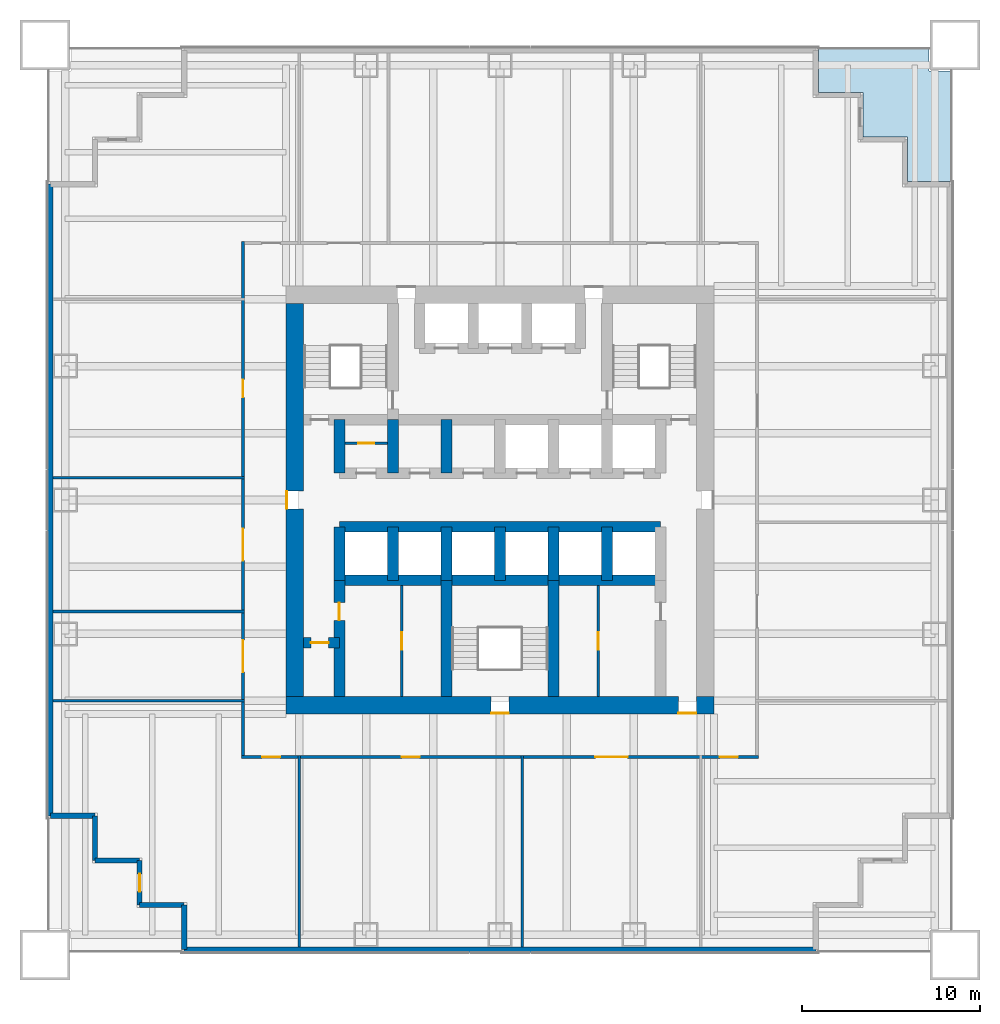
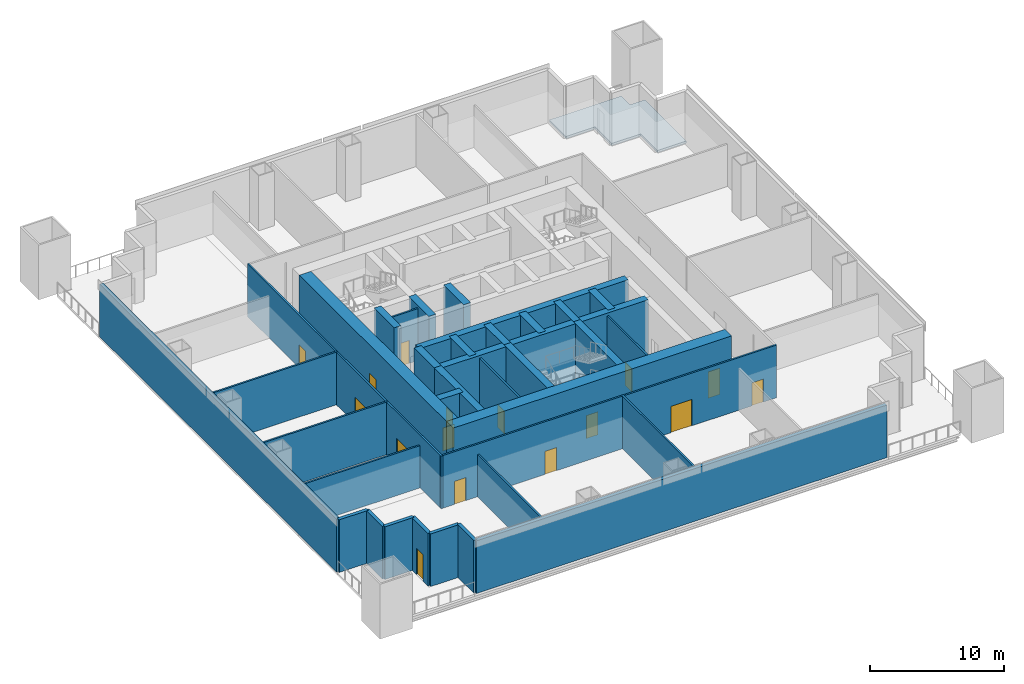
# One storey, part 2 of 6: 35 walls, 16 doors, 1 slab, 16 openings.
"""IFC4 building model written with IfcOpenShell, lengths in metres."""

from ifc_helpers import new_model, si_unit, direction, frame, frame_2d, origin, place, context, subcontext, project, spatial, polyline, rectangle, outline, extrude, material, layer, layer_set, type_object, element, fill, save


model = new_model("IFC4")

# Units and contexts
model_context = context("Model", 3, precision=1e-05, world=origin(), true_north=direction((0.0, 1.0)))
body_context = subcontext(model_context, "Body", "Model", "MODEL_VIEW")
ifc_project = project(units=[si_unit("LENGTHUNIT", "METRE"), si_unit("AREAUNIT", "SQUARE_METRE"), si_unit("VOLUMEUNIT", "CUBIC_METRE"), si_unit("PLANEANGLEUNIT", "RADIAN"), si_unit("MASSUNIT", "GRAM", prefix="KILO")], contexts=[model_context])

# Site, building, storey
site_placement = place(None, origin())
site = spatial("IfcSite", under=ifc_project, at=site_placement, CompositionType="ELEMENT")
building_placement = place(site_placement, origin())
building = spatial("IfcBuilding", under=site, at=building_placement, Name="Tarangal Relay Tower", CompositionType="ELEMENT")
storey_placement = place(building_placement, frame((0.0, 0.0, 73.39990234375)))
storey = spatial("IfcBuildingStorey", under=building, at=storey_placement, Name="L14", CompositionType="ELEMENT", Elevation=73.39990234375)

# Slab
ifc_material_1 = material(Name="Concrete fc' 35 MPa", Category="concrete")
ifc_layer_1 = layer(ifc_material_1, 0.199951171875)
ifc_layer_set_1 = layer_set([ifc_layer_1], Name="Terrace slab 200")
slab_type = type_object("IfcSlabType", Name="Terrace slab 200", PredefinedType="FLOOR", material=ifc_layer_set_1)
slab_placement = place(storey_placement, frame((0.0, 0.0, -0.199951171875)))
element("IfcSlab", 1, at=slab_placement, inside=storey, type_object=slab_type, Name="Corner terrace NE L14", PredefinedType="FLOOR", context=body_context, shape_type="SweptSolid", body=[
    extrude(outline(polyline([(17.85009765625, 25.35009765625), (17.85009765625, 22.85009765625), (20.35009765625, 22.85009765625), (20.35009765625, 20.35009765625), (22.85009765625, 20.35009765625), (22.85009765625, 17.85009765625), (25.35009765625, 17.85009765625), (25.35009765625, 24.050048828125), (24.050048828125, 24.050048828125), (24.050048828125, 25.35009765625), (17.85009765625, 25.35009765625)])), origin(), (0.0, 0.0, 1.0), 0.199951171875),
])

# Walls
ifc_material_2 = material(Name="Concrete fc' 60 MPa", Category="concrete")
ifc_layer_2 = layer(ifc_material_2, 0.60009765625)
ifc_layer_set_2 = layer_set([ifc_layer_2], Name="Core inner wall 600")
wall_type_1 = type_object("IfcWallType", Name="Core inner wall 600", PredefinedType="SHEAR", material=ifc_layer_set_2)
for number, where, z_axis, x_axis, name in (
    (2, (-9.0, -1.5, 0.0), (0.0, 0.0, 1.0), (1.0, 0.0, 0.0), "Core wall YM15 L14"),
    (3, (-9.0, -4.5, 0.0), (0.0, 0.0, 1.0), (1.0, 0.0, 0.0), "Core wall YM45 L14"),
):
    element("IfcWall", number, at=place(storey_placement, frame(where, z_axis=z_axis, x_axis=x_axis)), inside=storey, type_object=wall_type_1, Name=name, PredefinedType="SHEAR", context=body_context, shape_type="SweptSolid", body=[
        extrude(rectangle(XDim=18.0, YDim=0.60009765625, at=frame_2d((9.0, 0.0))), origin(), (0.0, 0.0, 1.0), 5.0),
    ])

# Wall, opening, door
wall_1_placement = place(storey_placement, frame((-11.0, -8.0, 0.0), z_axis=(0.0, 0.0, 1.0), x_axis=(1.0, 0.0, 0.0)))
wall_1 = element("IfcWall", 4, at=wall_1_placement, inside=storey, type_object=wall_type_1, Name="Core wall YM8 L14", PredefinedType="SHEAR", context=body_context, shape_type="SweptSolid", body=[
    extrude(rectangle(XDim=2.0, YDim=0.60009765625, at=frame_2d((1.0, 0.0))), origin(), (0.0, 0.0, 1.0), 5.0),
])
opening_1_placement = place(wall_1_placement, frame((0.39990234375, 0.0, 0.0)))
opening_1 = element("IfcOpeningElement", 5, at=opening_1_placement, cuts=wall_1, Name="Opening D1", PredefinedType="OPENING", context=body_context, shape_type="SweptSolid", body=[
    extrude(rectangle(XDim=1.0, YDim=2.10009765625, at=frame_2d((0.5, 1.050048828125))), frame((0.0, 0.31005859375, 0.0), z_axis=(0.0, -1.0, 0.0), x_axis=(1.0, 0.0, 0.0)), (0.0, 0.0, 1.0), 0.6201171875),
])
ifc_material_3 = material(Name="Hardwood door", Category="wood")
door_type_1 = type_object("IfcDoorType", Name="WC door 1000 x 2100", OperationType="SINGLE_SWING_LEFT", PredefinedType="DOOR", material=ifc_material_3)
door_1_placement = place(opening_1_placement, origin())
door_1 = element("IfcDoor", 6, at=door_1_placement, inside=storey, type_object=door_type_1, Name="Accessible WC door L14", OperationType="SINGLE_SWING_LEFT", OverallHeight=2.10009765625, OverallWidth=1.0, PredefinedType="DOOR", context=body_context, shape_type="SweptSolid", body=[
    extrude(rectangle(XDim=1.0, YDim=2.10009765625, at=frame_2d((0.5, 1.050048828125))), frame((0.0, 0.02490234375, 0.0), z_axis=(0.0, -1.0, 0.0), x_axis=(1.0, 0.0, 0.0)), (0.0, 0.0, 1.0), 0.050048828125),
])
fill(opening_1, door_1)

# Walls
for number, where, z_axis, x_axis, name in (
    (7, (-9.0, 1.5, 0.0), (0.0, 0.0, 1.0), (0.0, 1.0, 0.0), "Core wall XM9N L14"),
    (8, (-9.0, -4.5, 0.0), (0.0, 0.0, 1.0), (0.0, 1.0, 0.0), "Core wall XM9S L14"),
    (9, (-6.0, 1.5, 0.0), (0.0, 0.0, 1.0), (0.0, 1.0, 0.0), "Core wall XM6N L14"),
    (10, (-3.0, 1.5, 0.0), (0.0, 0.0, 1.0), (0.0, 1.0, 0.0), "Core wall XM3N L14"),
    (11, (-6.0, -4.5, 0.0), (0.0, 0.0, 1.0), (0.0, 1.0, 0.0), "Core wall XM6S L14"),
    (12, (-3.0, -4.5, 0.0), (0.0, 0.0, 1.0), (0.0, 1.0, 0.0), "Core wall XM3S L14"),
    (13, (0.0, -4.5, 0.0), (0.0, 0.0, 1.0), (0.0, 1.0, 0.0), "Core wall X0S L14"),
    (14, (3.0, -4.5, 0.0), (0.0, 0.0, 1.0), (0.0, 1.0, 0.0), "Core wall X3S L14"),
    (15, (6.0, -4.5, 0.0), (0.0, 0.0, 1.0), (0.0, 1.0, 0.0), "Core wall X6S L14"),
):
    element("IfcWall", number, at=place(storey_placement, frame(where, z_axis=z_axis, x_axis=x_axis)), inside=storey, type_object=wall_type_1, Name=name, PredefinedType="SHEAR", context=body_context, shape_type="SweptSolid", body=[
        extrude(rectangle(XDim=3.0, YDim=0.60009765625, at=frame_2d((1.5, 0.0))), origin(), (0.0, 0.0, 1.0), 5.0),
    ])

# Wall, opening, door
wall_2_placement = place(storey_placement, frame((-9.0, -11.0, 0.0), z_axis=(0.0, 0.0, 1.0), x_axis=(0.0, 1.0, 0.0)))
wall_2 = element("IfcWall", 16, at=wall_2_placement, inside=storey, type_object=wall_type_1, Name="Core wall XM9W L14", PredefinedType="SHEAR", context=body_context, shape_type="SweptSolid", body=[
    extrude(rectangle(XDim=6.5, YDim=0.60009765625, at=frame_2d((3.25, 0.0))), origin(), (0.0, 0.0, 1.0), 5.0),
])
opening_2_placement = place(wall_2_placement, frame((4.25, 0.0, 0.0)))
opening_2 = element("IfcOpeningElement", 17, at=opening_2_placement, cuts=wall_2, Name="Opening D1", PredefinedType="OPENING", context=body_context, shape_type="SweptSolid", body=[
    extrude(rectangle(XDim=1.0, YDim=2.10009765625, at=frame_2d((0.5, 1.050048828125))), frame((0.0, 0.31005859375, 0.0), z_axis=(0.0, -1.0, 0.0), x_axis=(1.0, 0.0, 0.0)), (0.0, 0.0, 1.0), 0.6201171875),
])
door_2_placement = place(opening_2_placement, origin())
door_2 = element("IfcDoor", 18, at=door_2_placement, inside=storey, type_object=door_type_1, Name="Male WC door L14", OperationType="SINGLE_SWING_LEFT", OverallHeight=2.10009765625, OverallWidth=1.0, PredefinedType="DOOR", context=body_context, shape_type="SweptSolid", body=[
    extrude(rectangle(XDim=1.0, YDim=2.10009765625, at=frame_2d((0.5, 1.050048828125))), frame((0.0, 0.02490234375, 0.0), z_axis=(0.0, -1.0, 0.0), x_axis=(1.0, 0.0, 0.0)), (0.0, 0.0, 1.0), 0.050048828125),
])
fill(opening_2, door_2)

# Walls
for number, where, z_axis, x_axis, name in (
    (19, (-3.0, -11.0, 0.0), (0.0, 0.0, 1.0), (0.0, 1.0, 0.0), "Core wall XM3W L14"),
    (20, (3.0, -11.0, 0.0), (0.0, 0.0, 1.0), (0.0, 1.0, 0.0), "Core wall X3W L14"),
):
    element("IfcWall", number, at=place(storey_placement, frame(where, z_axis=z_axis, x_axis=x_axis)), inside=storey, type_object=wall_type_1, Name=name, PredefinedType="SHEAR", context=body_context, shape_type="SweptSolid", body=[
        extrude(rectangle(XDim=6.5, YDim=0.60009765625, at=frame_2d((3.25, 0.0))), origin(), (0.0, 0.0, 1.0), 5.0),
    ])

# Wall, openings, doors
ifc_layer_3 = layer(ifc_material_2, 1.0)
ifc_layer_set_3 = layer_set([ifc_layer_3], Name="Core wall 1000")
wall_type_2 = type_object("IfcWallType", Name="Core wall 1000", PredefinedType="SHEAR", material=ifc_layer_set_3)
wall_3_placement = place(storey_placement, frame((12.0, -11.5, 0.0), z_axis=(0.0, 0.0, 1.0), x_axis=(-1.0, 0.0, 0.0)))
wall_3 = element("IfcWall", 21, at=wall_3_placement, inside=storey, type_object=wall_type_2, Name="Core wall S L14", PredefinedType="SHEAR", context=body_context, shape_type="SweptSolid", body=[
    extrude(rectangle(XDim=24.0, YDim=1.0, at=frame_2d((12.0, 0.0))), origin(), (0.0, 0.0, 1.0), 5.0),
])
opening_3_placement = place(wall_3_placement, frame((11.5, 0.0, 0.0)))
opening_3 = element("IfcOpeningElement", 22, at=opening_3_placement, cuts=wall_3, Name="Opening FD1", PredefinedType="OPENING", context=body_context, shape_type="SweptSolid", body=[
    extrude(rectangle(XDim=1.0, YDim=2.10009765625, at=frame_2d((0.5, 1.050048828125))), frame((0.0, 0.510009765625, 0.0), z_axis=(0.0, -1.0, 0.0), x_axis=(1.0, 0.0, 0.0)), (0.0, 0.0, 1.0), 1.02001953125),
])
opening_4_placement = place(wall_3_placement, frame((1.0, 0.0, 0.0)))
opening_4 = element("IfcOpeningElement", 23, at=opening_4_placement, cuts=wall_3, Name="Opening FD3", PredefinedType="OPENING", context=body_context, shape_type="SweptSolid", body=[
    extrude(rectangle(XDim=1.0, YDim=2.39990234375, at=frame_2d((0.5, 1.199951171875))), frame((0.0, 0.510009765625, 0.0), z_axis=(0.0, -1.0, 0.0), x_axis=(1.0, 0.0, 0.0)), (0.0, 0.0, 1.0), 1.02001953125),
])
ifc_material_4 = material(Name="Steel door with hardwood frame", Category="steel")
door_type_2 = type_object("IfcDoorType", Name="Fire door 1000 x 2100", OperationType="SINGLE_SWING_LEFT", PredefinedType="DOOR", material=ifc_material_4)
door_3_placement = place(opening_3_placement, origin())
door_3 = element("IfcDoor", 24, at=door_3_placement, inside=storey, type_object=door_type_2, Name="Stair ST-C door L14", OperationType="SINGLE_SWING_LEFT", OverallHeight=2.10009765625, OverallWidth=1.0, PredefinedType="DOOR", context=body_context, shape_type="SweptSolid", body=[
    extrude(rectangle(XDim=1.0, YDim=2.10009765625, at=frame_2d((0.5, 1.050048828125))), frame((0.0, 0.48486328125, 0.0), z_axis=(0.0, -1.0, 0.0), x_axis=(1.0, 0.0, 0.0)), (0.0, 0.0, 1.0), 0.050048828125),
])
fill(opening_3, door_3)
door_type_3 = type_object("IfcDoorType", Name="Fire door 1000 x 2400 core entry", OperationType="SINGLE_SWING_RIGHT", PredefinedType="DOOR", material=ifc_material_4)
door_4_placement = place(opening_4_placement, origin())
door_4 = element("IfcDoor", 25, at=door_4_placement, inside=storey, type_object=door_type_3, Name="Core entry door south east L14", OperationType="SINGLE_SWING_RIGHT", OverallHeight=2.39990234375, OverallWidth=1.0, PredefinedType="DOOR", context=body_context, shape_type="SweptSolid", body=[
    extrude(rectangle(XDim=1.0, YDim=2.39990234375, at=frame_2d((0.5, 1.199951171875))), frame((0.0, 0.48486328125, 0.0), z_axis=(0.0, -1.0, 0.0), x_axis=(1.0, 0.0, 0.0)), (0.0, 0.0, 1.0), 0.050048828125),
])
fill(opening_4, door_4)

# Wall, opening, door
wall_4_placement = place(storey_placement, frame((-11.5, -11.0, 0.0), z_axis=(0.0, 0.0, 1.0), x_axis=(0.0, 1.0, 0.0)))
wall_4 = element("IfcWall", 26, at=wall_4_placement, inside=storey, type_object=wall_type_2, Name="Core wall W L14", PredefinedType="SHEAR", context=body_context, shape_type="SweptSolid", body=[
    extrude(rectangle(XDim=22.0, YDim=1.0, at=frame_2d((11.0, 0.0))), origin(), (0.0, 0.0, 1.0), 5.0),
])
opening_5_placement = place(wall_4_placement, frame((10.5, 0.0, 0.0)))
opening_5 = element("IfcOpeningElement", 27, at=opening_5_placement, cuts=wall_4, Name="Opening FD3", PredefinedType="OPENING", context=body_context, shape_type="SweptSolid", body=[
    extrude(rectangle(XDim=1.0, YDim=2.39990234375, at=frame_2d((0.5, 1.199951171875))), frame((0.0, 0.510009765625, 0.0), z_axis=(0.0, -1.0, 0.0), x_axis=(1.0, 0.0, 0.0)), (0.0, 0.0, 1.0), 1.02001953125),
])
door_5_placement = place(opening_5_placement, origin())
door_5 = element("IfcDoor", 28, at=door_5_placement, inside=storey, type_object=door_type_3, Name="Core entry door west L14", OperationType="SINGLE_SWING_RIGHT", OverallHeight=2.39990234375, OverallWidth=1.0, PredefinedType="DOOR", context=body_context, shape_type="SweptSolid", body=[
    extrude(rectangle(XDim=1.0, YDim=2.39990234375, at=frame_2d((0.5, 1.199951171875))), frame((0.0, 0.48486328125, 0.0), z_axis=(0.0, -1.0, 0.0), x_axis=(1.0, 0.0, 0.0)), (0.0, 0.0, 1.0), 0.050048828125),
])
fill(opening_5, door_5)

# Walls
ifc_material_5 = material(Name="Insulated precast concrete fc' 40 MPa", Category="concrete")
ifc_layer_4 = layer(ifc_material_5, 0.300048828125)
ifc_layer_set_4 = layer_set([ifc_layer_4], Name="Insulated precast concrete fc' 40 MPa")
wall_type_3 = type_object("IfcWallType", Name="Facade wall precast 300", PredefinedType="SOLIDWALL", material=ifc_layer_set_4)
wall_5_placement = place(storey_placement, frame((17.699951171875, -25.199951171875, 0.0), z_axis=(0.0, 0.0, 1.0), x_axis=(-1.0, 0.0, 0.0)))
element("IfcWall", 29, at=wall_5_placement, inside=storey, type_object=wall_type_3, Name="Facade wall S facade L14", PredefinedType="SOLIDWALL", context=body_context, shape_type="SweptSolid", body=[
    extrude(rectangle(XDim=35.39990234375, YDim=0.300048828125, at=frame_2d((17.699951171875, 0.0))), origin(), (0.0, 0.0, 1.0), 4.800048828125),
])
for number, where, z_axis, x_axis, name in (
    (30, (-17.699951171875, -25.199951171875, 0.0), (0.0, 0.0, 1.0), (0.0, 1.0, 0.0), "Facade wall S facade L14"),
    (31, (-17.699951171875, -22.699951171875, 0.0), (0.0, 0.0, 1.0), (-1.0, 0.0, 0.0), "Facade wall S facade L14"),
):
    element("IfcWall", number, at=place(storey_placement, frame(where, z_axis=z_axis, x_axis=x_axis)), inside=storey, type_object=wall_type_3, Name=name, PredefinedType="SOLIDWALL", context=body_context, shape_type="SweptSolid", body=[
        extrude(rectangle(XDim=2.5, YDim=0.300048828125, at=frame_2d((1.25, 0.0))), origin(), (0.0, 0.0, 1.0), 4.800048828125),
    ])

# Wall, opening, door
wall_6_placement = place(storey_placement, frame((-20.199951171875, -22.699951171875, 0.0), z_axis=(0.0, 0.0, 1.0), x_axis=(0.0, 1.0, 0.0)))
wall_6 = element("IfcWall", 32, at=wall_6_placement, inside=storey, type_object=wall_type_3, Name="Facade wall S facade L14", PredefinedType="SOLIDWALL", context=body_context, shape_type="SweptSolid", body=[
    extrude(rectangle(XDim=2.5, YDim=0.300048828125, at=frame_2d((1.25, 0.0))), origin(), (0.0, 0.0, 1.0), 4.800048828125),
])
opening_6_placement = place(wall_6_placement, frame((0.75, 0.0, 0.0)))
opening_6 = element("IfcOpeningElement", 33, at=opening_6_placement, cuts=wall_6, Name="Opening TD1", PredefinedType="OPENING", context=body_context, shape_type="SweptSolid", body=[
    extrude(rectangle(XDim=1.0, YDim=2.39990234375, at=frame_2d((0.5, 1.199951171875))), frame((0.0, 0.159912109375, 0.0), z_axis=(0.0, -1.0, 0.0), x_axis=(1.0, 0.0, 0.0)), (0.0, 0.0, 1.0), 0.320068359375),
])
ifc_material_6 = material(Name="Aluminium glazed door", Category="aluminium")
door_type_4 = type_object("IfcDoorType", Name="Terrace door 1000 x 2400", OperationType="SINGLE_SWING_RIGHT", PredefinedType="DOOR", material=ifc_material_6)
door_6_placement = place(opening_6_placement, origin())
door_6 = element("IfcDoor", 34, at=door_6_placement, inside=storey, type_object=door_type_4, Name="Terrace door TD1 SW L14", OperationType="SINGLE_SWING_RIGHT", OverallHeight=2.39990234375, OverallWidth=1.0, PredefinedType="DOOR", context=body_context, shape_type="SweptSolid", body=[
    extrude(rectangle(XDim=1.0, YDim=2.39990234375, at=frame_2d((0.5, 1.199951171875))), frame((0.0, 0.02490234375, 0.0), z_axis=(0.0, -1.0, 0.0), x_axis=(1.0, 0.0, 0.0)), (0.0, 0.0, 1.0), 0.050048828125),
])
fill(opening_6, door_6)

# Walls
for number, where, z_axis, x_axis, name in (
    (35, (-20.199951171875, -20.199951171875, 0.0), (0.0, 0.0, 1.0), (-1.0, 0.0, 0.0), "Facade wall S facade L14"),
    (36, (-22.699951171875, -20.199951171875, 0.0), (0.0, 0.0, 1.0), (0.0, 1.0, 0.0), "Facade wall S facade L14"),
    (37, (-22.699951171875, -17.699951171875, 0.0), (0.0, 0.0, 1.0), (-1.0, 0.0, 0.0), "Facade wall S facade L14"),
):
    element("IfcWall", number, at=place(storey_placement, frame(where, z_axis=z_axis, x_axis=x_axis)), inside=storey, type_object=wall_type_3, Name=name, PredefinedType="SOLIDWALL", context=body_context, shape_type="SweptSolid", body=[
        extrude(rectangle(XDim=2.5, YDim=0.300048828125, at=frame_2d((1.25, 0.0))), origin(), (0.0, 0.0, 1.0), 4.800048828125),
    ])
wall_7_placement = place(storey_placement, frame((-25.199951171875, -17.699951171875, 0.0), z_axis=(0.0, 0.0, 1.0), x_axis=(0.0, 1.0, 0.0)))
element("IfcWall", 38, at=wall_7_placement, inside=storey, type_object=wall_type_3, Name="Facade wall W facade L14", PredefinedType="SOLIDWALL", context=body_context, shape_type="SweptSolid", body=[
    extrude(rectangle(XDim=35.39990234375, YDim=0.300048828125, at=frame_2d((17.699951171875, 0.0))), origin(), (0.0, 0.0, 1.0), 4.800048828125),
])

# Wall, openings, doors
ifc_material_7 = material(Name="Gypsum board on steel studs", Category="steel")
ifc_layer_5 = layer(ifc_material_7, 0.14990234375)
ifc_layer_set_5 = layer_set([ifc_layer_5], Name="Partition 150")
wall_type_4 = type_object("IfcWallType", Name="Partition 150", PredefinedType="PARTITIONING", material=ifc_layer_set_5)
wall_8_placement = place(storey_placement, frame((-14.47509765625, -14.39990234375, 0.0), z_axis=(0.0, 0.0, 1.0), x_axis=(1.0, 0.0, 0.0)))
wall_8 = element("IfcWall", 39, at=wall_8_placement, inside=storey, type_object=wall_type_4, Name="Partition PT1 L14", PredefinedType="PARTITIONING", context=body_context, shape_type="SweptSolid", body=[
    extrude(rectangle(XDim=28.9501953125, YDim=0.14990234375, at=frame_2d((14.47509765625, 0.0))), origin(), (0.0, 0.0, 1.0), 4.800048828125),
])
opening_7_placement = place(wall_8_placement, frame((19.824951171875, 0.0, 0.0)))
opening_7 = element("IfcOpeningElement", 40, at=opening_7_placement, cuts=wall_8, Name="Opening DD1", PredefinedType="OPENING", context=body_context, shape_type="SweptSolid", body=[
    extrude(rectangle(XDim=1.800048828125, YDim=2.39990234375, at=frame_2d((0.89990234375, 1.199951171875))), frame((0.0, 0.0849609375, 0.0), z_axis=(0.0, -1.0, 0.0), x_axis=(1.0, 0.0, 0.0)), (0.0, 0.0, 1.0), 0.169921875),
])
opening_8_placement = place(wall_8_placement, frame((8.97509765625, 0.0, 0.0)))
opening_8 = element("IfcOpeningElement", 41, at=opening_8_placement, cuts=wall_8, Name="Opening D2", PredefinedType="OPENING", context=body_context, shape_type="SweptSolid", body=[
    extrude(rectangle(XDim=1.0, YDim=2.10009765625, at=frame_2d((0.5, 1.050048828125))), frame((0.0, 0.0849609375, 0.0), z_axis=(0.0, -1.0, 0.0), x_axis=(1.0, 0.0, 0.0)), (0.0, 0.0, 1.0), 0.169921875),
])
opening_9_placement = place(wall_8_placement, frame((26.800048828125, 0.0, 0.0)))
opening_9 = element("IfcOpeningElement", 42, at=opening_9_placement, cuts=wall_8, Name="Opening D2", PredefinedType="OPENING", context=body_context, shape_type="SweptSolid", body=[
    extrude(rectangle(XDim=1.0, YDim=2.10009765625, at=frame_2d((0.5, 1.050048828125))), frame((0.0, 0.0849609375, 0.0), z_axis=(0.0, -1.0, 0.0), x_axis=(1.0, 0.0, 0.0)), (0.0, 0.0, 1.0), 0.169921875),
])
opening_10_placement = place(wall_8_placement, frame((1.14990234375, 0.0, 0.0)))
opening_10 = element("IfcOpeningElement", 43, at=opening_10_placement, cuts=wall_8, Name="Opening D2", PredefinedType="OPENING", context=body_context, shape_type="SweptSolid", body=[
    extrude(rectangle(XDim=1.0, YDim=2.10009765625, at=frame_2d((0.5, 1.050048828125))), frame((0.0, 0.0849609375, 0.0), z_axis=(0.0, -1.0, 0.0), x_axis=(1.0, 0.0, 0.0)), (0.0, 0.0, 1.0), 0.169921875),
])
door_type_5 = type_object("IfcDoorType", Name="Door 1000 x 2100", OperationType="SINGLE_SWING_LEFT", PredefinedType="DOOR", material=ifc_material_3)
door_7_placement = place(opening_8_placement, origin())
door_7 = element("IfcDoor", 44, at=door_7_placement, inside=storey, type_object=door_type_5, Name="Door D2 to customer office L14-08", OperationType="SINGLE_SWING_LEFT", OverallHeight=2.10009765625, OverallWidth=1.0, PredefinedType="DOOR", context=body_context, shape_type="SweptSolid", body=[
    extrude(rectangle(XDim=1.0, YDim=2.10009765625, at=frame_2d((0.5, 1.050048828125))), frame((0.0, 0.02490234375, 0.0), z_axis=(0.0, -1.0, 0.0), x_axis=(1.0, 0.0, 0.0)), (0.0, 0.0, 1.0), 0.050048828125),
])
fill(opening_8, door_7)
door_8_placement = place(opening_9_placement, origin())
door_8 = element("IfcDoor", 45, at=door_8_placement, inside=storey, type_object=door_type_5, Name="Door D2 to maintenance workshop L14-13", OperationType="SINGLE_SWING_LEFT", OverallHeight=2.10009765625, OverallWidth=1.0, PredefinedType="DOOR", context=body_context, shape_type="SweptSolid", body=[
    extrude(rectangle(XDim=1.0, YDim=2.10009765625, at=frame_2d((0.5, 1.050048828125))), frame((0.0, 0.02490234375, 0.0), z_axis=(0.0, -1.0, 0.0), x_axis=(1.0, 0.0, 0.0)), (0.0, 0.0, 1.0), 0.050048828125),
])
fill(opening_9, door_8)
door_9_placement = place(opening_10_placement, origin())
door_9 = element("IfcDoor", 46, at=door_9_placement, inside=storey, type_object=door_type_5, Name="Door D2 to rack staging room L14-14", OperationType="SINGLE_SWING_LEFT", OverallHeight=2.10009765625, OverallWidth=1.0, PredefinedType="DOOR", context=body_context, shape_type="SweptSolid", body=[
    extrude(rectangle(XDim=1.0, YDim=2.10009765625, at=frame_2d((0.5, 1.050048828125))), frame((0.0, 0.02490234375, 0.0), z_axis=(0.0, -1.0, 0.0), x_axis=(1.0, 0.0, 0.0)), (0.0, 0.0, 1.0), 0.050048828125),
])
fill(opening_10, door_9)
door_type_6 = type_object("IfcDoorType", Name="Equipment double door 1800 x 2400", OperationType="DOUBLE_DOOR_SINGLE_SWING", PredefinedType="DOOR", material=ifc_material_4)
door_10_placement = place(opening_7_placement, origin())
door_10 = element("IfcDoor", 47, at=door_10_placement, inside=storey, type_object=door_type_6, Name="Door DD1 to electrical room L14-07", OperationType="DOUBLE_DOOR_SINGLE_SWING", OverallHeight=2.39990234375, OverallWidth=1.800048828125, PredefinedType="DOOR", context=body_context, shape_type="SweptSolid", body=[
    extrude(rectangle(XDim=1.800048828125, YDim=2.39990234375, at=frame_2d((0.89990234375, 1.199951171875))), frame((0.0, 0.02490234375, 0.0), z_axis=(0.0, -1.0, 0.0), x_axis=(1.0, 0.0, 0.0)), (0.0, 0.0, 1.0), 0.050048828125),
])
fill(opening_7, door_10)

# Walls
wall_9_placement = place(storey_placement, frame((-25.050048828125, -11.25, 0.0), z_axis=(0.0, 0.0, 1.0), x_axis=(1.0, 0.0, 0.0)))
element("IfcWall", 48, at=wall_9_placement, inside=storey, type_object=wall_type_4, Name="Partition PT1 L14", PredefinedType="PARTITIONING", context=body_context, shape_type="SweptSolid", body=[
    extrude(rectangle(XDim=10.72509765625, YDim=0.14990234375, at=frame_2d((5.362548828125, 0.0))), origin(), (0.0, 0.0, 1.0), 3.852783203125),
])
for number, where, z_axis, x_axis, name in (
    (49, (-25.050048828125, -6.25, 0.0), (0.0, 0.0, 1.0), (1.0, 0.0, 0.0), "Partition PT1 L14"),
    (50, (-25.050048828125, 1.25, 0.0), (0.0, 0.0, 1.0), (1.0, 0.0, 0.0), "Partition PT1 L14"),
):
    element("IfcWall", number, at=place(storey_placement, frame(where, z_axis=z_axis, x_axis=x_axis)), inside=storey, type_object=wall_type_4, Name=name, PredefinedType="PARTITIONING", context=body_context, shape_type="SweptSolid", body=[
        extrude(rectangle(XDim=10.72509765625, YDim=0.14990234375, at=frame_2d((5.362548828125, 0.0))), origin(), (0.0, 0.0, 1.0), 4.800048828125),
    ])

# Wall, openings, doors
wall_10_placement = place(storey_placement, frame((-14.39990234375, -14.47509765625, 0.0), z_axis=(0.0, 0.0, 1.0), x_axis=(0.0, 1.0, 0.0)))
wall_10 = element("IfcWall", 51, at=wall_10_placement, inside=storey, type_object=wall_type_4, Name="Partition PT1 L14", PredefinedType="PARTITIONING", context=body_context, shape_type="SweptSolid", body=[
    extrude(rectangle(XDim=28.9501953125, YDim=0.14990234375, at=frame_2d((14.47509765625, 0.0))), origin(), (0.0, 0.0, 1.0), 4.800048828125),
])
opening_11_placement = place(wall_10_placement, frame((4.824951171875, 0.0, 0.0)))
opening_11 = element("IfcOpeningElement", 52, at=opening_11_placement, cuts=wall_10, Name="Opening DD1", PredefinedType="OPENING", context=body_context, shape_type="SweptSolid", body=[
    extrude(rectangle(XDim=1.800048828125, YDim=2.39990234375, at=frame_2d((0.89990234375, 1.199951171875))), frame((0.0, 0.0849609375, 0.0), z_axis=(0.0, -1.0, 0.0), x_axis=(1.0, 0.0, 0.0)), (0.0, 0.0, 1.0), 0.169921875),
])
opening_12_placement = place(wall_10_placement, frame((11.074951171875, 0.0, 0.0)))
opening_12 = element("IfcOpeningElement", 53, at=opening_12_placement, cuts=wall_10, Name="Opening DD1", PredefinedType="OPENING", context=body_context, shape_type="SweptSolid", body=[
    extrude(rectangle(XDim=1.800048828125, YDim=2.39990234375, at=frame_2d((0.89990234375, 1.199951171875))), frame((0.0, 0.0849609375, 0.0), z_axis=(0.0, -1.0, 0.0), x_axis=(1.0, 0.0, 0.0)), (0.0, 0.0, 1.0), 0.169921875),
])
opening_13_placement = place(wall_10_placement, frame((20.22509765625, 0.0, 0.0)))
opening_13 = element("IfcOpeningElement", 54, at=opening_13_placement, cuts=wall_10, Name="Opening D2", PredefinedType="OPENING", context=body_context, shape_type="SweptSolid", body=[
    extrude(rectangle(XDim=1.0, YDim=2.10009765625, at=frame_2d((0.5, 1.050048828125))), frame((0.0, 0.0849609375, 0.0), z_axis=(0.0, -1.0, 0.0), x_axis=(1.0, 0.0, 0.0)), (0.0, 0.0, 1.0), 0.169921875),
])
door_11_placement = place(opening_13_placement, origin())
door_11 = element("IfcDoor", 55, at=door_11_placement, inside=storey, type_object=door_type_5, Name="Door D2 to engineering office L14-11", OperationType="SINGLE_SWING_LEFT", OverallHeight=2.10009765625, OverallWidth=1.0, PredefinedType="DOOR", context=body_context, shape_type="SweptSolid", body=[
    extrude(rectangle(XDim=1.0, YDim=2.10009765625, at=frame_2d((0.5, 1.050048828125))), frame((0.0, 0.02490234375, 0.0), z_axis=(0.0, -1.0, 0.0), x_axis=(1.0, 0.0, 0.0)), (0.0, 0.0, 1.0), 0.050048828125),
])
fill(opening_13, door_11)
door_12_placement = place(opening_11_placement, origin())
door_12 = element("IfcDoor", 56, at=door_12_placement, inside=storey, type_object=door_type_6, Name="Door DD1 to gas suppression cylinder room L14-09", OperationType="DOUBLE_DOOR_SINGLE_SWING", OverallHeight=2.39990234375, OverallWidth=1.800048828125, PredefinedType="DOOR", context=body_context, shape_type="SweptSolid", body=[
    extrude(rectangle(XDim=1.800048828125, YDim=2.39990234375, at=frame_2d((0.89990234375, 1.199951171875))), frame((0.0, 0.02490234375, 0.0), z_axis=(0.0, -1.0, 0.0), x_axis=(1.0, 0.0, 0.0)), (0.0, 0.0, 1.0), 0.050048828125),
])
fill(opening_11, door_12)
door_13_placement = place(opening_12_placement, origin())
door_13 = element("IfcDoor", 57, at=door_13_placement, inside=storey, type_object=door_type_6, Name="Door DD1 to carrier entrance room L14-10", OperationType="DOUBLE_DOOR_SINGLE_SWING", OverallHeight=2.39990234375, OverallWidth=1.800048828125, PredefinedType="DOOR", context=body_context, shape_type="SweptSolid", body=[
    extrude(rectangle(XDim=1.800048828125, YDim=2.39990234375, at=frame_2d((0.89990234375, 1.199951171875))), frame((0.0, 0.02490234375, 0.0), z_axis=(0.0, -1.0, 0.0), x_axis=(1.0, 0.0, 0.0)), (0.0, 0.0, 1.0), 0.050048828125),
])
fill(opening_12, door_13)

# Walls
wall_11_placement = place(storey_placement, frame((-11.25, -25.050048828125, 0.0), z_axis=(0.0, 0.0, 1.0), x_axis=(0.0, 1.0, 0.0)))
element("IfcWall", 58, at=wall_11_placement, inside=storey, type_object=wall_type_4, Name="Partition PT1 L14", PredefinedType="PARTITIONING", context=body_context, shape_type="SweptSolid", body=[
    extrude(rectangle(XDim=10.72509765625, YDim=0.14990234375, at=frame_2d((5.362548828125, 0.0))), origin(), (0.0, 0.0, 1.0), 3.852783203125),
])
wall_12_placement = place(storey_placement, frame((1.25, -25.050048828125, 0.0), z_axis=(0.0, 0.0, 1.0), x_axis=(0.0, 1.0, 0.0)))
element("IfcWall", 59, at=wall_12_placement, inside=storey, type_object=wall_type_4, Name="Partition PT1 L14", PredefinedType="PARTITIONING", context=body_context, shape_type="SweptSolid", body=[
    extrude(rectangle(XDim=10.72509765625, YDim=0.14990234375, at=frame_2d((5.362548828125, 0.0))), origin(), (0.0, 0.0, 1.0), 4.800048828125),
])

# Wall, opening, door
wall_13_placement = place(storey_placement, frame((-5.5, -11.0, 0.0), z_axis=(0.0, 0.0, 1.0), x_axis=(0.0, 1.0, 0.0)))
wall_13 = element("IfcWall", 60, at=wall_13_placement, inside=storey, type_object=wall_type_4, Name="Partition PT1 L14", PredefinedType="PARTITIONING", context=body_context, shape_type="SweptSolid", body=[
    extrude(rectangle(XDim=6.199951171875, YDim=0.14990234375, at=frame_2d((3.10009765625, 0.0))), origin(), (0.0, 0.0, 1.0), 4.75),
])
opening_14_placement = place(wall_13_placement, frame((2.60009765625, 0.0, 0.0)))
opening_14 = element("IfcOpeningElement", 61, at=opening_14_placement, cuts=wall_13, Name="Opening D1", PredefinedType="OPENING", context=body_context, shape_type="SweptSolid", body=[
    extrude(rectangle(XDim=1.0, YDim=2.10009765625, at=frame_2d((0.5, 1.050048828125))), frame((0.0, 0.0849609375, 0.0), z_axis=(0.0, -1.0, 0.0), x_axis=(1.0, 0.0, 0.0)), (0.0, 0.0, 1.0), 0.169921875),
])
door_14_placement = place(opening_14_placement, origin())
door_14 = element("IfcDoor", 62, at=door_14_placement, inside=storey, type_object=door_type_1, Name="Door D1 to male shower and changing room L14-C7B", OperationType="SINGLE_SWING_LEFT", OverallHeight=2.10009765625, OverallWidth=1.0, PredefinedType="DOOR", context=body_context, shape_type="SweptSolid", body=[
    extrude(rectangle(XDim=1.0, YDim=2.10009765625, at=frame_2d((0.5, 1.050048828125))), frame((0.0, 0.02490234375, 0.0), z_axis=(0.0, -1.0, 0.0), x_axis=(1.0, 0.0, 0.0)), (0.0, 0.0, 1.0), 0.050048828125),
])
fill(opening_14, door_14)

wall_14_placement = place(storey_placement, frame((5.5, -11.0, 0.0), z_axis=(0.0, 0.0, 1.0), x_axis=(0.0, 1.0, 0.0)))
wall_14 = element("IfcWall", 63, at=wall_14_placement, inside=storey, type_object=wall_type_4, Name="Partition PT1 L14", PredefinedType="PARTITIONING", context=body_context, shape_type="SweptSolid", body=[
    extrude(rectangle(XDim=6.199951171875, YDim=0.14990234375, at=frame_2d((3.10009765625, 0.0))), origin(), (0.0, 0.0, 1.0), 4.75),
])
opening_15_placement = place(wall_14_placement, frame((2.60009765625, 0.0, 0.0)))
opening_15 = element("IfcOpeningElement", 64, at=opening_15_placement, cuts=wall_14, Name="Opening D1", PredefinedType="OPENING", context=body_context, shape_type="SweptSolid", body=[
    extrude(rectangle(XDim=1.0, YDim=2.10009765625, at=frame_2d((0.5, 1.050048828125))), frame((0.0, 0.0849609375, 0.0), z_axis=(0.0, -1.0, 0.0), x_axis=(1.0, 0.0, 0.0)), (0.0, 0.0, 1.0), 0.169921875),
])
door_15_placement = place(opening_15_placement, origin())
door_15 = element("IfcDoor", 65, at=door_15_placement, inside=storey, type_object=door_type_1, Name="Door D1 to female shower and changing room L14-C10B", OperationType="SINGLE_SWING_LEFT", OverallHeight=2.10009765625, OverallWidth=1.0, PredefinedType="DOOR", context=body_context, shape_type="SweptSolid", body=[
    extrude(rectangle(XDim=1.0, YDim=2.10009765625, at=frame_2d((0.5, 1.050048828125))), frame((0.0, 0.02490234375, 0.0), z_axis=(0.0, -1.0, 0.0), x_axis=(1.0, 0.0, 0.0)), (0.0, 0.0, 1.0), 0.050048828125),
])
fill(opening_15, door_15)

wall_15_placement = place(storey_placement, frame((-8.699951171875, 3.175048828125, 0.0), z_axis=(0.0, 0.0, 1.0), x_axis=(1.0, 0.0, 0.0)))
wall_15 = element("IfcWall", 66, at=wall_15_placement, inside=storey, type_object=wall_type_4, Name="Partition PT1 L14", PredefinedType="PARTITIONING", context=body_context, shape_type="SweptSolid", body=[
    extrude(rectangle(XDim=2.39990234375, YDim=0.14990234375, at=frame_2d((1.199951171875, 0.0))), origin(), (0.0, 0.0, 1.0), 4.75),
])
opening_16_placement = place(wall_15_placement, frame((0.75, 0.0, 0.0)))
opening_16 = element("IfcOpeningElement", 67, at=opening_16_placement, cuts=wall_15, Name="Opening D5", PredefinedType="OPENING", context=body_context, shape_type="SweptSolid", body=[
    extrude(rectangle(XDim=0.89990234375, YDim=2.10009765625, at=frame_2d((0.449951171875, 1.050048828125))), frame((0.0, 0.0849609375, 0.0), z_axis=(0.0, -1.0, 0.0), x_axis=(1.0, 0.0, 0.0)), (0.0, 0.0, 1.0), 0.169921875),
])
door_type_7 = type_object("IfcDoorType", Name="Cupboard door 900 x 2100", OperationType="SINGLE_SWING_LEFT", PredefinedType="DOOR", material=ifc_material_3)
door_16_placement = place(opening_16_placement, origin())
door_16 = element("IfcDoor", 68, at=door_16_placement, inside=storey, type_object=door_type_7, Name="Door D5 to pantry cupboard L14-D1B", OperationType="SINGLE_SWING_LEFT", OverallHeight=2.10009765625, OverallWidth=0.89990234375, PredefinedType="DOOR", context=body_context, shape_type="SweptSolid", body=[
    extrude(rectangle(XDim=0.89990234375, YDim=2.10009765625, at=frame_2d((0.449951171875, 1.050048828125))), frame((0.0, 0.02490234375, 0.0), z_axis=(0.0, -1.0, 0.0), x_axis=(1.0, 0.0, 0.0)), (0.0, 0.0, 1.0), 0.050048828125),
])
fill(opening_16, door_16)

save(model, "model.ifc")
